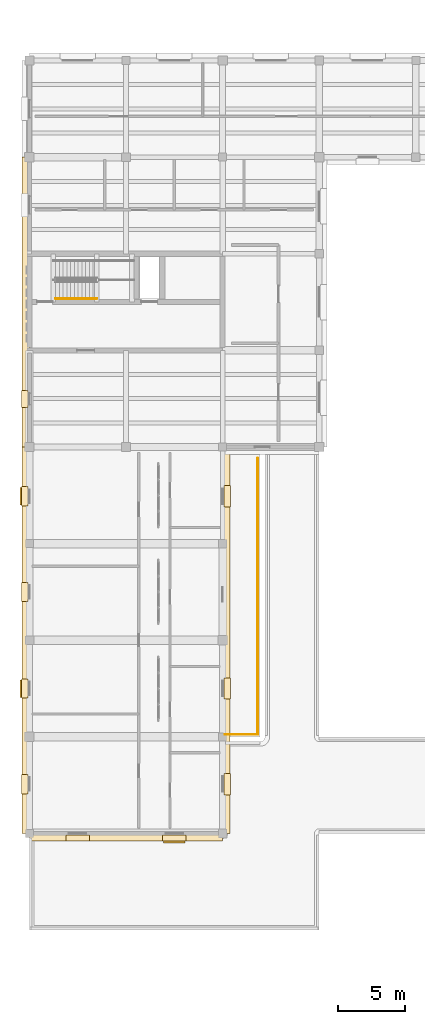
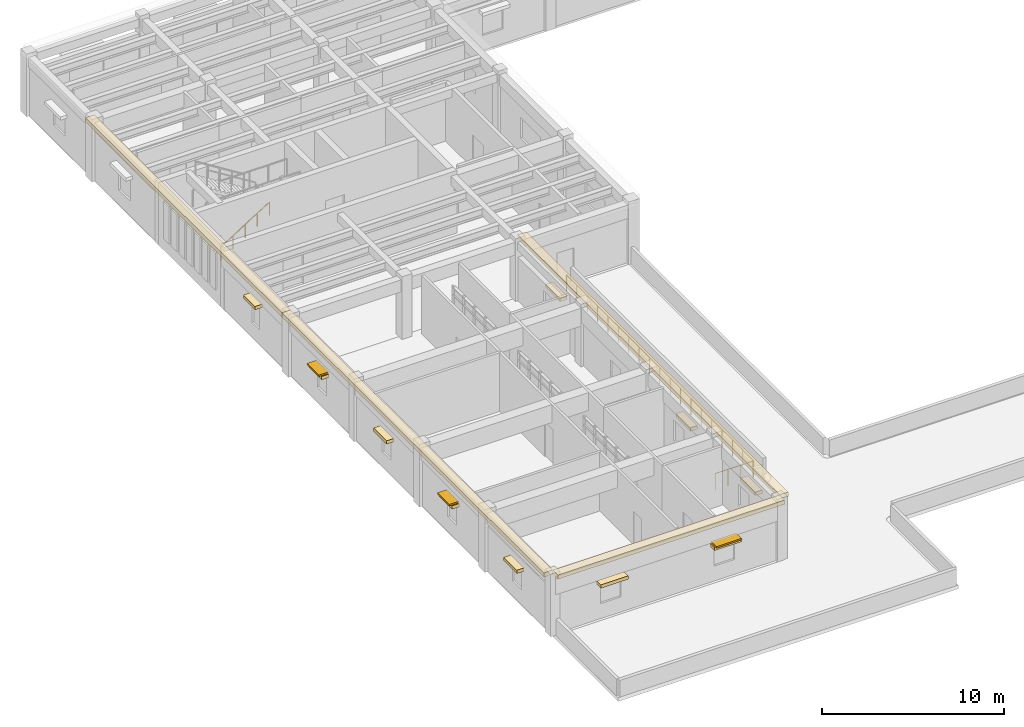
# One storey, part 33 of 40: 14 coverings, 3 railings, 3 shading devices.
"""IFC4 building model written with IfcOpenShell, lengths in metres."""

from ifc_helpers import new_model, si_unit, direction, frame, origin, origin_2d, place, context, subcontext, project, spatial, rectangle, circle, extrude, material, layer, layer_set, type_object, element, save


model = new_model("IFC4")

# Units and contexts
model_context = context("Model", 3, precision=1e-05, world=origin(), true_north=direction((0.0, 1.0)))
body_context = subcontext(model_context, "Body", "Model", "MODEL_VIEW")
ifc_project = project(units=[si_unit("LENGTHUNIT", "METRE"), si_unit("AREAUNIT", "SQUARE_METRE"), si_unit("VOLUMEUNIT", "CUBIC_METRE"), si_unit("PLANEANGLEUNIT", "RADIAN"), si_unit("MASSUNIT", "GRAM", prefix="KILO")], contexts=[model_context])

# Site, building, storey
site_placement = place(None, origin())
site = spatial("IfcSite", under=ifc_project, at=site_placement, CompositionType="ELEMENT")
building_placement = place(site_placement, origin())
building = spatial("IfcBuilding", under=site, at=building_placement, Name="Mithqara Police Headquarters", CompositionType="ELEMENT")
storey_placement = place(building_placement, frame((0.0, 0.0, 13.800048828125)))
storey = spatial("IfcBuildingStorey", under=building, at=storey_placement, Name="L03", CompositionType="ELEMENT", Elevation=13.800048828125)

# Coverings
ifc_material_1 = material(Name="Limestone ashlar masonry, 45 MPa", Category="masonry")
ifc_layer_1 = layer(ifc_material_1, 0.320068359375, Name="Limestone ashlar masonry, 45 MPa")
ifc_layer_set_1 = layer_set([ifc_layer_1], Name="Limestone ashlar masonry, 45 MPa")
covering_type_1 = type_object("IfcCoveringType", Name="CORNICE LIMESTONE", PredefinedType="CLADDING", material=ifc_layer_set_1)
covering_1_placement = place(storey_placement, frame((15.0, 27.919921875, 3.919921875), z_axis=(0.0, 0.0, 1.0), x_axis=(1.0, 0.0, 0.0)))
element("IfcCovering", 1, at=covering_1_placement, inside=storey, type_object=covering_type_1, Name="L03 Projecting Ottoman Limestone Eaves Cornice 1", PredefinedType="CLADDING", context=body_context, shape_type="SweptSolid", body=[
    extrude(rectangle(XDim=14.39990234375, YDim=0.56005859375, at=origin_2d()), origin(), (0.0, 0.0, 1.0), 0.280029296875),
])
covering_2_placement = place(storey_placement, frame((22.47998046875, 42.60009765625, 3.919921875), z_axis=(0.0, 0.0, 1.0), x_axis=(0.0, 1.0, 0.0)))
element("IfcCovering", 2, at=covering_2_placement, inside=storey, type_object=covering_type_1, Name="L03 Projecting Ottoman Limestone Eaves Cornice 2", PredefinedType="CLADDING", context=body_context, shape_type="SweptSolid", body=[
    extrude(rectangle(XDim=28.800048828125, YDim=0.56005859375, at=origin_2d()), origin(), (0.0, 0.0, 1.0), 0.280029296875),
])
covering_3_placement = place(storey_placement, frame((7.52001953125, 67.800048828125, 3.919921875), z_axis=(0.0, 0.0, 1.0), x_axis=(0.0, 1.0, 0.0)))
element("IfcCovering", 3, at=covering_3_placement, inside=storey, type_object=covering_type_1, Name="L03 Projecting Ottoman Limestone Eaves Cornice 17", PredefinedType="CLADDING", context=body_context, shape_type="SweptSolid", body=[
    extrude(rectangle(XDim=21.60009765625, YDim=0.56005859375, at=origin_2d()), origin(), (0.0, 0.0, 1.0), 0.280029296875),
])
covering_4_placement = place(storey_placement, frame((7.52001953125, 42.60009765625, 3.919921875), z_axis=(0.0, 0.0, 1.0), x_axis=(0.0, 1.0, 0.0)))
element("IfcCovering", 4, at=covering_4_placement, inside=storey, type_object=covering_type_1, Name="L03 Projecting Ottoman Limestone Eaves Cornice 18", PredefinedType="CLADDING", context=body_context, shape_type="SweptSolid", body=[
    extrude(rectangle(XDim=28.800048828125, YDim=0.56005859375, at=origin_2d()), origin(), (0.0, 0.0, 1.0), 0.280029296875),
])

# Railings
ifc_material_2 = material(Name="Bronze anodised aluminium 6063-T6", Category="aluminium")
railing_type_1 = type_object("IfcRailingType", Name="GUARD BALUSTRADE1120", PredefinedType="BALUSTRADE", material=ifc_material_2)
railing_1_placement = place(storey_placement, frame((22.3798828125, 35.580078125, 0.0)))
element("IfcRailing", 5, at=railing_1_placement, inside=storey, type_object=railing_type_1, Name="L03 Terrace Balustrade TER-L03-W-S", PredefinedType="BALUSTRADE", context=body_context, shape_type="SweptSolid", body=[
    extrude(circle(Radius=0.02392578125, at=origin_2d()), frame((0.0, 0.0, 1.09619140625), z_axis=(1.0, 0.0, 0.0), x_axis=(0.0, 1.0, 0.0)), (0.0, 0.0, 1.0), 2.440185546875),
    extrude(circle(Radius=0.02099609375, at=origin_2d()), origin(), (0.0, 0.0, 1.0), 1.072021484375),
    extrude(circle(Radius=0.02099609375, at=origin_2d()), frame((0.8134765625, 0.0, 0.0)), (0.0, 0.0, 1.0), 1.072021484375),
    extrude(circle(Radius=0.02099609375, at=origin_2d()), frame((1.626708984375, 0.0, 0.0)), (0.0, 0.0, 1.0), 1.072021484375),
    extrude(circle(Radius=0.02099609375, at=origin_2d()), frame((2.440185546875, 0.0, 0.0)), (0.0, 0.0, 1.0), 1.072021484375),
])
railing_2_placement = place(storey_placement, frame((24.820068359375, 35.639892578125, 0.0)))
element("IfcRailing", 6, at=railing_2_placement, inside=storey, type_object=railing_type_1, Name="L03 Terrace Balustrade TER-L03-W-E", PredefinedType="BALUSTRADE", context=body_context, shape_type="SweptSolid", body=[
    extrude(circle(Radius=0.02392578125, at=origin_2d()), frame((0.0, 0.0, 1.09619140625), z_axis=(0.0, 1.0, 0.0), x_axis=(-1.0, 0.0, 0.0)), (0.0, 0.0, 1.0), 20.5234375),
    extrude(circle(Radius=0.02099609375, at=origin_2d()), origin(), (0.0, 0.0, 1.0), 1.072021484375),
    extrude(circle(Radius=0.02099609375, at=origin_2d()), frame((0.0, 1.14013671875, 0.0)), (0.0, 0.0, 1.0), 1.072021484375),
    extrude(circle(Radius=0.02099609375, at=origin_2d()), frame((0.0, 2.2802734375, 0.0)), (0.0, 0.0, 1.0), 1.072021484375),
    extrude(circle(Radius=0.02099609375, at=origin_2d()), frame((0.0, 3.420654296875, 0.0)), (0.0, 0.0, 1.0), 1.072021484375),
    extrude(circle(Radius=0.02099609375, at=origin_2d()), frame((0.0, 4.560791015625, 0.0)), (0.0, 0.0, 1.0), 1.072021484375),
    extrude(circle(Radius=0.02099609375, at=origin_2d()), frame((0.0, 5.700927734375, 0.0)), (0.0, 0.0, 1.0), 1.072021484375),
    extrude(circle(Radius=0.02099609375, at=origin_2d()), frame((0.0, 6.841064453125, 0.0)), (0.0, 0.0, 1.0), 1.072021484375),
    extrude(circle(Radius=0.02099609375, at=origin_2d()), frame((0.0, 7.9814453125, 0.0)), (0.0, 0.0, 1.0), 1.072021484375),
    extrude(circle(Radius=0.02099609375, at=origin_2d()), frame((0.0, 9.12158203125, 0.0)), (0.0, 0.0, 1.0), 1.072021484375),
    extrude(circle(Radius=0.02099609375, at=origin_2d()), frame((0.0, 10.26171875, 0.0)), (0.0, 0.0, 1.0), 1.072021484375),
    extrude(circle(Radius=0.02099609375, at=origin_2d()), frame((0.0, 11.40185546875, 0.0)), (0.0, 0.0, 1.0), 1.072021484375),
    extrude(circle(Radius=0.02099609375, at=origin_2d()), frame((0.0, 12.5419921875, 0.0)), (0.0, 0.0, 1.0), 1.072021484375),
    extrude(circle(Radius=0.02099609375, at=origin_2d()), frame((0.0, 13.682373046875, 0.0)), (0.0, 0.0, 1.0), 1.072021484375),
    extrude(circle(Radius=0.02099609375, at=origin_2d()), frame((0.0, 14.822509765625, 0.0)), (0.0, 0.0, 1.0), 1.072021484375),
    extrude(circle(Radius=0.02099609375, at=origin_2d()), frame((0.0, 15.962646484375, 0.0)), (0.0, 0.0, 1.0), 1.072021484375),
    extrude(circle(Radius=0.02099609375, at=origin_2d()), frame((0.0, 17.102783203125, 0.0)), (0.0, 0.0, 1.0), 1.072021484375),
    extrude(circle(Radius=0.02099609375, at=origin_2d()), frame((0.0, 18.2431640625, 0.0)), (0.0, 0.0, 1.0), 1.072021484375),
    extrude(circle(Radius=0.02099609375, at=origin_2d()), frame((0.0, 19.38330078125, 0.0)), (0.0, 0.0, 1.0), 1.072021484375),
    extrude(circle(Radius=0.02099609375, at=origin_2d()), frame((0.0, 20.5234375, 0.0)), (0.0, 0.0, 1.0), 1.072021484375),
])
ifc_material_3 = material(Name="Steel S355JR", Category="steel")
railing_type_2 = type_object("IfcRailingType", Name="HANDRAIL 920", PredefinedType="HANDRAIL", material=ifc_material_3)
railing_3_placement = place(storey_placement, frame((9.75, 68.050048828125, 0.175048828125)))
element("IfcRailing", 7, at=railing_3_placement, inside=storey, type_object=railing_type_2, Name="L03 ST-03 stair handrail 1", PredefinedType="HANDRAIL", context=body_context, shape_type="SweptSolid", body=[
    extrude(circle(Radius=0.02392578125, at=origin_2d()), frame((0.0, 0.0, 0.8759765625), z_axis=(0.848028513186, 0.0, 0.529950602248), x_axis=(0.0, 1.0, 0.0)), (0.0, 0.0, 1.0), 3.632080078125),
    extrude(circle(Radius=0.02099609375, at=origin_2d()), origin(), (0.0, 0.0, 1.0), 0.851806640625),
    extrude(circle(Radius=0.02099609375, at=origin_2d()), frame((0.77001953125, 0.0, 0.481201171875)), (0.0, 0.0, 1.0), 0.851806640625),
    extrude(circle(Radius=0.02099609375, at=origin_2d()), frame((1.5400390625, 0.0, 0.96240234375)), (0.0, 0.0, 1.0), 0.851806640625),
    extrude(circle(Radius=0.02099609375, at=origin_2d()), frame((2.31005859375, 0.0, 1.443603515625)), (0.0, 0.0, 1.0), 0.851806640625),
    extrude(circle(Radius=0.02099609375, at=origin_2d()), frame((3.080078125, 0.0, 1.9248046875)), (0.0, 0.0, 1.0), 0.851806640625),
])

# Shading devices
shading_device_type = type_object("IfcShadingDeviceType", Name="SOLAR LOUVRE BRONZE", PredefinedType="JALOUSIE", material=ifc_material_2)
shading_device_placement = place(storey_placement, frame((18.60009765625, 27.800048828125, 2.58984375), z_axis=(0.0, 0.0, 1.0), x_axis=(1.0, 0.0, 0.0)))
element("IfcShadingDevice", 8, at=shading_device_placement, inside=storey, type_object=shading_device_type, Name="L03 Window Solar Louvre Hood 1.2", PredefinedType="JALOUSIE", context=body_context, shape_type="SweptSolid", body=[
    extrude(rectangle(XDim=1.60009765625, YDim=0.60009765625, at=origin_2d()), origin(), (0.0, 0.0, 1.0), 0.10009765625),
])
for number, where, z_axis, x_axis, name in (
    (9, (7.39990234375, 39.0, 2.58984375), (0.0, 0.0, 1.0), (0.0, 1.0, 0.0), "L03 Window Solar Louvre Hood 18.2"),
    (10, (7.39990234375, 53.324951171875, 2.58984375), (0.0, 0.0, 1.0), (0.0, 1.0, 0.0), "L03 Window Solar Louvre Hood 18.4"),
):
    element("IfcShadingDevice", number, at=place(storey_placement, frame(where, z_axis=z_axis, x_axis=x_axis)), inside=storey, type_object=shading_device_type, Name=name, PredefinedType="JALOUSIE", context=body_context, shape_type="SweptSolid", body=[
        extrude(rectangle(XDim=1.300048828125, YDim=0.60009765625, at=origin_2d()), origin(), (0.0, 0.0, 1.0), 0.10009765625),
    ])

# Coverings
ifc_layer_2 = layer(ifc_material_1, 0.239990234375, Name="Limestone ashlar masonry, 45 MPa")
ifc_layer_set_2 = layer_set([ifc_layer_2], Name="Limestone ashlar masonry, 45 MPa")
covering_type_2 = type_object("IfcCoveringType", Name="WINDOW HOOD LIMESTONE", PredefinedType="CLADDING", material=ifc_layer_set_2)
for number, where, z_axis, x_axis, name in (
    (11, (11.39990234375, 27.860107421875, 2.3701171875), (0.0, 0.0, 1.0), (1.0, 0.0, 0.0), "L03 Limestone Window Architrave Hood 1.1"),
    (12, (18.60009765625, 27.860107421875, 2.3701171875), (0.0, 0.0, 1.0), (1.0, 0.0, 0.0), "L03 Limestone Window Architrave Hood 1.2"),
):
    element("IfcCovering", number, at=place(storey_placement, frame(where, z_axis=z_axis, x_axis=x_axis)), inside=storey, type_object=covering_type_2, Name=name, PredefinedType="CLADDING", context=body_context, shape_type="SweptSolid", body=[
        extrude(rectangle(XDim=1.739990234375, YDim=0.4599609375, at=origin_2d()), origin(), (0.0, 0.0, 1.0), 0.219970703125),
    ])
for number, where, z_axis, x_axis, name in (
    (13, (22.5400390625, 31.875, 2.3701171875), (0.0, 0.0, 1.0), (0.0, 1.0, 0.0), "L03 Limestone Window Architrave Hood 2.1"),
    (14, (22.5400390625, 39.0, 2.3701171875), (0.0, 0.0, 1.0), (0.0, 1.0, 0.0), "L03 Limestone Window Architrave Hood 2.2"),
    (15, (22.5400390625, 53.324951171875, 2.3701171875), (0.0, 0.0, 1.0), (0.0, 1.0, 0.0), "L03 Limestone Window Architrave Hood 2.4"),
):
    element("IfcCovering", number, at=place(storey_placement, frame(where, z_axis=z_axis, x_axis=x_axis)), inside=storey, type_object=covering_type_2, Name=name, PredefinedType="CLADDING", context=body_context, shape_type="SweptSolid", body=[
        extrude(rectangle(XDim=1.590087890625, YDim=0.4599609375, at=origin_2d()), origin(), (0.0, 0.0, 1.0), 0.219970703125),
    ])
covering_5_placement = place(storey_placement, frame((7.4599609375, 60.580078125, 2.6201171875), z_axis=(0.0, 0.0, 1.0), x_axis=(0.0, 1.0, 0.0)))
element("IfcCovering", 16, at=covering_5_placement, inside=storey, type_object=covering_type_2, Name="L03 Limestone Window Architrave Hood 17.1", PredefinedType="CLADDING", context=body_context, shape_type="SweptSolid", body=[
    extrude(rectangle(XDim=1.2900390625, YDim=0.4599609375, at=origin_2d()), origin(), (0.0, 0.0, 1.0), 0.219970703125),
])
for number, where, z_axis, x_axis, name in (
    (17, (7.4599609375, 31.875, 2.3701171875), (0.0, 0.0, 1.0), (0.0, 1.0, 0.0), "L03 Limestone Window Architrave Hood 18.1"),
    (18, (7.4599609375, 39.0, 2.3701171875), (0.0, 0.0, 1.0), (0.0, 1.0, 0.0), "L03 Limestone Window Architrave Hood 18.2"),
    (19, (7.4599609375, 46.199951171875, 2.3701171875), (0.0, 0.0, 1.0), (0.0, 1.0, 0.0), "L03 Limestone Window Architrave Hood 18.3"),
    (20, (7.4599609375, 53.324951171875, 2.3701171875), (0.0, 0.0, 1.0), (0.0, 1.0, 0.0), "L03 Limestone Window Architrave Hood 18.4"),
):
    element("IfcCovering", number, at=place(storey_placement, frame(where, z_axis=z_axis, x_axis=x_axis)), inside=storey, type_object=covering_type_2, Name=name, PredefinedType="CLADDING", context=body_context, shape_type="SweptSolid", body=[
        extrude(rectangle(XDim=1.43994140625, YDim=0.4599609375, at=origin_2d()), origin(), (0.0, 0.0, 1.0), 0.219970703125),
    ])

save(model, "model.ifc")
